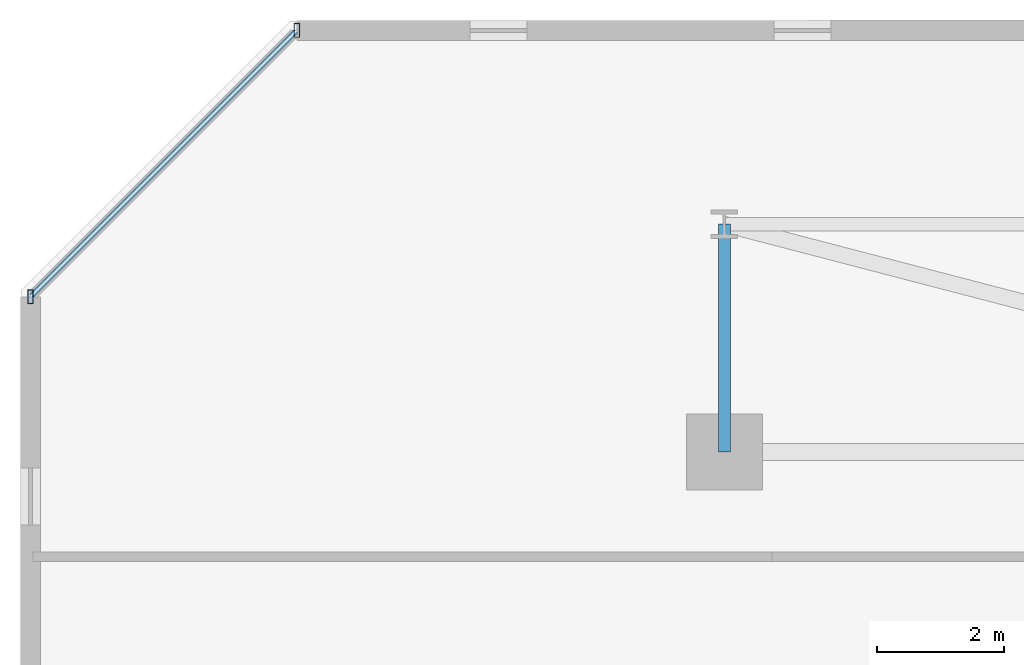
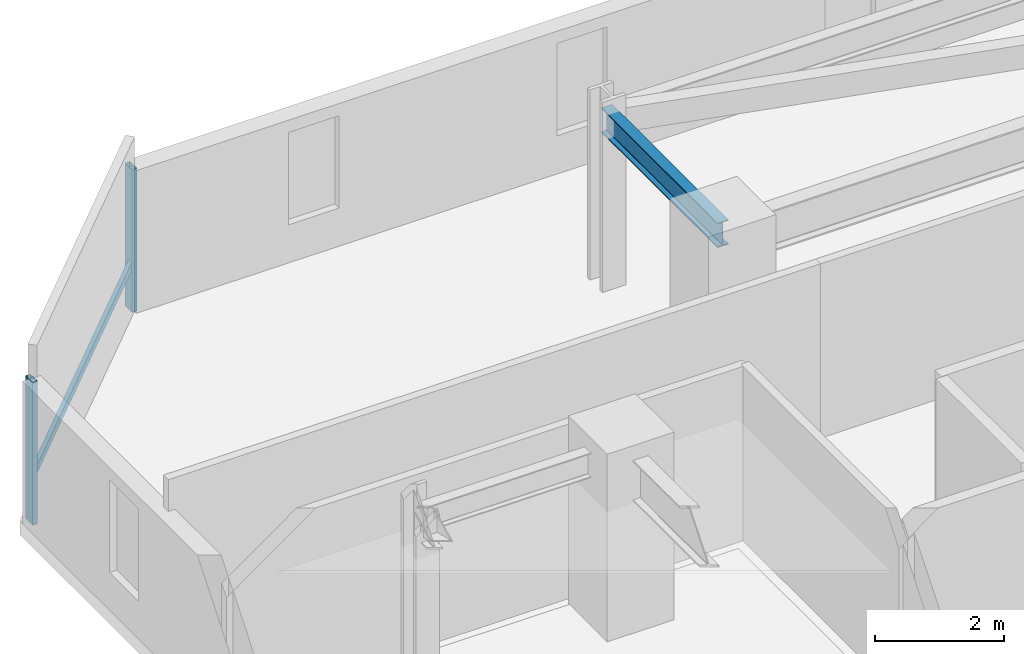
# One storey, part 8 of 33: 3 members, 1 beam, 1 element without a shape of its own.
"""IFC4 building model written with IfcOpenShell, lengths in metres."""

from ifc_helpers import new_model, si_unit, direction, frame, origin, origin_2d, place, context, subcontext, project, spatial, hollow_rectangle, i_section, extrude, material, material_profile, profile_set, type_object, element, aggregate, save


model = new_model("IFC4")

# Units and contexts
model_context = context("Model", 3, precision=1e-05, world=origin(), true_north=direction((0.0, 1.0)))
body_context = subcontext(model_context, "Body", "Model", "MODEL_VIEW")
ifc_project = project(units=[si_unit("LENGTHUNIT", "METRE"), si_unit("AREAUNIT", "SQUARE_METRE"), si_unit("VOLUMEUNIT", "CUBIC_METRE"), si_unit("PLANEANGLEUNIT", "RADIAN"), si_unit("MASSUNIT", "GRAM", prefix="KILO")], contexts=[model_context])

# Site, building, storey
site_placement = place(None, origin())
site = spatial("IfcSite", under=ifc_project, at=site_placement, CompositionType="ELEMENT")
building_placement = place(site_placement, origin())
building = spatial("IfcBuilding", under=site, at=building_placement, Name="Thornwick Lancets Civic Towers", CompositionType="ELEMENT")
storey_placement = place(building_placement, frame((0.0, 0.0, 98.10009765625)))
storey = spatial("IfcBuildingStorey", under=building, at=storey_placement, Name="L25", CompositionType="ELEMENT", Elevation=98.10009765625)

# Beam
ifc_material_1 = material(Name="Steel S355JR", Category="steel")
ifc_material_profile_1 = material_profile(ifc_material_1, i_section(OverallWidth=0.19287109375, OverallDepth=0.46728515625, WebThickness=0.011474609375, FlangeThickness=0.01953125, FilletRadius=0.01025390625, at=origin_2d()), Name="UKB 457x191x98")
ifc_profile_set_1 = profile_set([ifc_material_profile_1], Name="Steel S355JR")
beam_type = type_object("IfcBeamType", Name="BM_JOIST_457_98", PredefinedType="JOIST", material=ifc_profile_set_1)
beam_placement = place(storey_placement, frame((12.5, 44.300048828125, 3.086181640625), z_axis=(0.0, 1.0, 0.0), x_axis=(-1.0, 0.0, 0.0)))
element("IfcBeam", 1, at=beam_placement, inside=storey, type_object=beam_type, Name="BM-RAD-L25-A07", PredefinedType="JOIST", context=body_context, shape_type="SweptSolid", body=[
    extrude(i_section(OverallWidth=0.19287109375, OverallDepth=0.46728515625, WebThickness=0.011474609375, FlangeThickness=0.01953125, FilletRadius=0.01025390625, at=origin_2d()), origin(), (0.0, 0.0, 1.0), 3.599853515625),
])

# Curtain wall, members
ifc_material_2 = material(Name="Low-zone chamfered-corner unitised glass curtain wall", Category="glass")
curtain_wall_type = type_object("IfcCurtainWallType", Name="CW_SYS_03", PredefinedType="NOTDEFINED", material=ifc_material_2)
curtain_wall_placement = place(storey_placement, origin())
curtain_wall = element("IfcCurtainWall", 2, at=curtain_wall_placement, inside=storey, type_object=curtain_wall_type, Name="L25 Curtain Wall CW-L25-A-E5", PredefinedType="NOTDEFINED")
ifc_material_3 = material(Name="Thermally broken bronze aluminium S355", Category="steel")
ifc_material_profile_2 = material_profile(ifc_material_3, hollow_rectangle(XDim=0.090087890625, YDim=0.219970703125, WallThickness=0.00634765625, at=origin_2d()), Name="RHS 220x90x6.3")
ifc_profile_set_2 = profile_set([ifc_material_profile_2], Name="Thermally broken bronze aluminium S355")
member_type_1 = type_object("IfcMemberType", Name="CW_MUL_220", PredefinedType="MULLION", material=ifc_profile_set_2)
member_1_placement = place(storey_placement, frame((5.748291015625, 50.95947265625, 0.0), z_axis=(0.0, 0.0, 1.0), x_axis=(1.0, 0.0, 0.0)))
member_1 = element("IfcMember", 3, at=member_1_placement, type_object=member_type_1, Name="CW-L25-A-E5 Mullion 0", PredefinedType="MULLION", context=body_context, shape_type="SweptSolid", body=[
    extrude(hollow_rectangle(XDim=0.090087890625, YDim=0.219970703125, WallThickness=0.00634765625, at=origin_2d()), origin(), (0.0, 0.0, 1.0), 2.699951171875),
])
member_2_placement = place(storey_placement, frame((1.54052734375, 46.751708984375, 0.0), z_axis=(0.0, 0.0, 1.0), x_axis=(1.0, 0.0, 0.0)))
member_2 = element("IfcMember", 4, at=member_2_placement, type_object=member_type_1, Name="CW-L25-A-E5 Mullion 1", PredefinedType="MULLION", context=body_context, shape_type="SweptSolid", body=[
    extrude(hollow_rectangle(XDim=0.090087890625, YDim=0.219970703125, WallThickness=0.00634765625, at=origin_2d()), origin(), (0.0, 0.0, 1.0), 2.699951171875),
])
ifc_material_profile_3 = material_profile(ifc_material_3, hollow_rectangle(XDim=0.074951171875, YDim=0.14990234375, WallThickness=0.0048828125, at=origin_2d()), Name="RHS 150x75x5")
ifc_profile_set_3 = profile_set([ifc_material_profile_3], Name="Thermally broken bronze aluminium S355")
member_type_2 = type_object("IfcMemberType", Name="CW_TRN_150", PredefinedType="USERDEFINED", material=ifc_profile_set_3)
member_3_placement = place(storey_placement, frame((5.734375, 50.9453125, 0.849853515625), z_axis=(-0.707106781187, -0.707106781187, 0.0), x_axis=(0.707106781187, -0.707106781187, 0.0)))
member_3 = element("IfcMember", 5, at=member_3_placement, type_object=member_type_2, Name="CW-L25-A-E5 Transom 0", ObjectType="TRANSOM", PredefinedType="USERDEFINED", context=body_context, shape_type="SweptSolid", body=[
    extrude(hollow_rectangle(XDim=0.074951171875, YDim=0.14990234375, WallThickness=0.0048828125, at=origin_2d()), origin(), (0.0, 0.0, 1.0), 5.910888671875),
])
aggregate(curtain_wall, [member_1, member_2, member_3])

save(model, "model.ifc")
